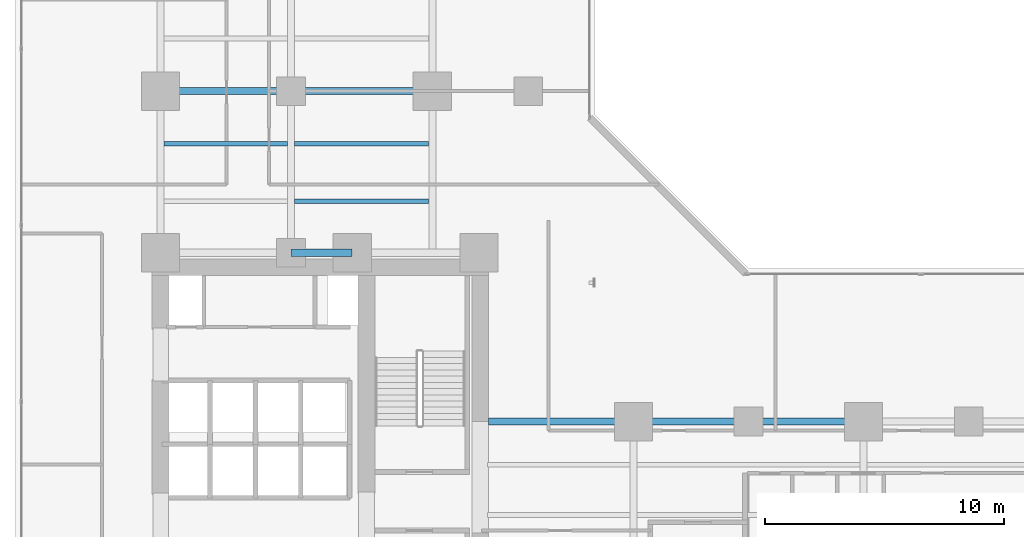
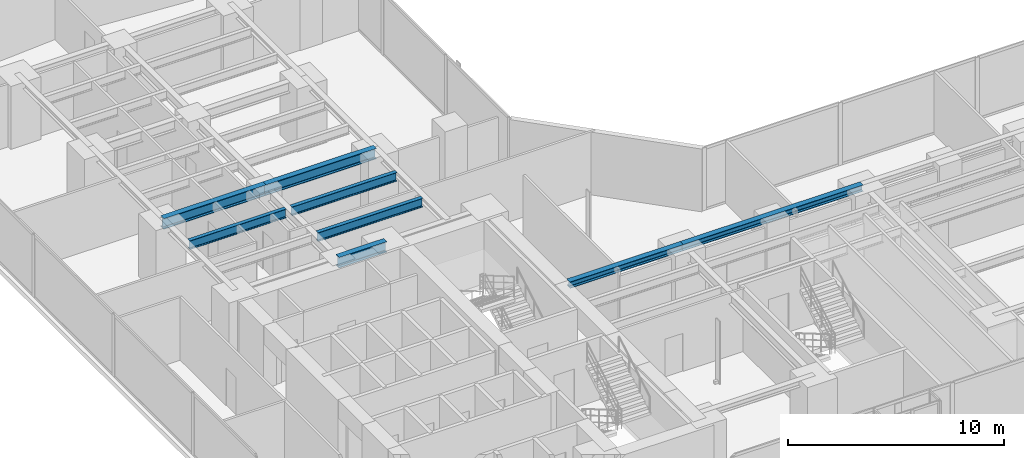
# One storey, part 7 of 27: 8 beams.
"""IFC4 building model written with IfcOpenShell, lengths in metres."""

import ifcopenshell
import ifcopenshell.guid

model = None  # the IFC model being written
_history = None  # IfcOwnerHistory: only IFC2X3 demands one
_inside = {}  # id of a spatial element -> (the spatial element, [elements in it])
_under = {}  # id of a project, library or spatial element -> (it, [spatial elements below it])
_declared = {}  # id of a project -> (the project, [libraries it declares])
_typed = {}  # id of a type object -> (the type object, [elements of that type])
_made_of = {}  # id of a material, layer set ... -> (it, [elements and type objects made of it])


def new_model(schema):
    """Start an empty IFC model of exactly this schema.

    Asked for "IFC4X3", IfcOpenShell would pick the latest addendum, in which some entities
    have other attributes; the version numbers below select the first issue.
    IFC2X3 requires an IfcOwnerHistory on every rooted entity: one is made here for all.
    """
    global model, _history
    if schema == "IFC4X3":
        model = ifcopenshell.file(schema_version=(4, 3, 0, 0))
    else:
        model = ifcopenshell.file(schema=schema)
    _inside.clear()
    _under.clear()
    _declared.clear()
    _typed.clear()
    _made_of.clear()
    _history = None
    if model.schema == "IFC2X3":
        org = make("IfcOrganization", Name="unknown")
        user = make(
            "IfcPersonAndOrganization",
            ThePerson=make("IfcPerson", FamilyName="unknown"),
            TheOrganization=org,
        )
        app = make(
            "IfcApplication",
            ApplicationDeveloper=org,
            Version="unknown",
            ApplicationFullName="unknown",
            ApplicationIdentifier="unknown",
        )
        _history = make(
            "IfcOwnerHistory",
            OwningUser=user,
            OwningApplication=app,
            ChangeAction="ADDED",
            CreationDate=0,
        )
    return model


def make(cls, **values):
    """One entity of the class cls with the attributes given. An attribute that is None is left unset."""
    return model.create_entity(
        cls, **{name: value for name, value in values.items() if value is not None}
    )


def rooted(cls, **values):
    """An entity with a GlobalId (a new one), such as an element, a storey or a relation."""
    return make(cls, GlobalId=ifcopenshell.guid.new(), OwnerHistory=_history, **values)


def si_unit(unit_type, name, prefix=None):
    """IfcSIUnit, for example si_unit("LENGTHUNIT", "METRE", prefix="MILLI")."""
    return make("IfcSIUnit", UnitType=unit_type, Prefix=prefix, Name=name)


def assignment(units):
    """IfcUnitAssignment: the units of a project."""
    return None if units is None else make("IfcUnitAssignment", Units=units)


def point(xyz):
    """IfcCartesianPoint."""
    return None if xyz is None else make("IfcCartesianPoint", Coordinates=xyz)


def direction(xyz):
    """IfcDirection."""
    return None if xyz is None else make("IfcDirection", DirectionRatios=xyz)


def frame(location, z_axis=None, x_axis=None):
    """IfcAxis2Placement3D, a coordinate frame: its origin and axes. An axis left out is left unset."""
    return make(
        "IfcAxis2Placement3D",
        Location=point(location),
        Axis=direction(z_axis),
        RefDirection=direction(x_axis),
    )


def frame_2d(location, x_axis=None):
    """IfcAxis2Placement2D, a coordinate frame in the plane: its origin and x axis."""
    return make(
        "IfcAxis2Placement2D", Location=point(location), RefDirection=direction(x_axis)
    )


def origin():
    """The frame at (0, 0, 0) with its axes left unset."""
    return frame((0.0, 0.0, 0.0))


def origin_2d():
    """The frame at (0, 0) in the plane with its x axis left unset."""
    return frame_2d((0.0, 0.0))


def place(relative_to, where):
    """IfcLocalPlacement: puts the frame where relative to a parent placement (None: the world)."""
    return make(
        "IfcLocalPlacement", PlacementRelTo=relative_to, RelativePlacement=where
    )


def context(
    kind, dimensions, precision=None, world=None, true_north=None, identifier=None
):
    """IfcGeometricRepresentationContext, for example the 3D "Model" context."""
    return make(
        "IfcGeometricRepresentationContext",
        ContextIdentifier=identifier,
        ContextType=kind,
        CoordinateSpaceDimension=dimensions,
        Precision=precision,
        WorldCoordinateSystem=world,
        TrueNorth=true_north,
    )


def subcontext(parent, identifier, kind, view, scale=None):
    """IfcGeometricRepresentationSubContext, for example "Body" below "Model"."""
    return make(
        "IfcGeometricRepresentationSubContext",
        ContextIdentifier=identifier,
        ContextType=kind,
        ParentContext=parent,
        TargetScale=scale,
        TargetView=view,
    )


def project(units=None, contexts=None):
    """IfcProject with its units and contexts."""
    return rooted(
        "IfcProject",
        Name="project",
        RepresentationContexts=contexts,
        UnitsInContext=assignment(units),
    )


def spatial(cls, under=None, at=None, **own):
    """A site, building, storey or space (cls), placed at a placement, below another one or the project."""
    s = rooted(cls, ObjectPlacement=at, **own)
    if under is not None:
        _under.setdefault(under.id(), (under, []))[1].append(s)
    return s


def profile(cls, at=None, kind="AREA", **sizes):
    """A parametric profile (cls). Its sizes go by their IFC names, for example OverallWidth=200.0."""
    return make(cls, ProfileType=kind, Position=at, **sizes)


def i_section(**sizes):
    """IfcIShapeProfileDef."""
    return profile("IfcIShapeProfileDef", **sizes)


def extrude(swept, where, along, depth):
    """IfcExtrudedAreaSolid: the profile swept, set in the frame where, extruded along a direction by depth."""
    return make(
        "IfcExtrudedAreaSolid",
        SweptArea=swept,
        Position=where,
        ExtrudedDirection=direction(along),
        Depth=depth,
    )


def shape(context_of_items, identifier, shape_type, items):
    """IfcShapeRepresentation: the items that make up one representation, for example the "Body"."""
    return make(
        "IfcShapeRepresentation",
        ContextOfItems=context_of_items,
        RepresentationIdentifier=identifier,
        RepresentationType=shape_type,
        Items=items,
    )


def material(Name=None, Category=None):
    """IfcMaterial."""
    return make("IfcMaterial", Name=Name, Category=Category)


def material_profile(
    of_material, cross_section, Name=None, Category=None, Priority=None
):
    """IfcMaterialProfile: a cross section and its material."""
    return make(
        "IfcMaterialProfile",
        Name=Name,
        Material=of_material,
        Profile=cross_section,
        Priority=Priority,
        Category=Category,
    )


def profile_set(profiles, Name=None, composite=None):
    """IfcMaterialProfileSet."""
    return make(
        "IfcMaterialProfileSet",
        Name=Name,
        MaterialProfiles=profiles,
        CompositeProfile=composite,
    )


def made_of(thing, what):
    """Note that an element or type object is made of a material, layer set ...; save() writes the relation."""
    if what is not None:
        _made_of.setdefault(what.id(), (what, []))[1].append(thing)
    return thing


def type_object(cls, material=None, **own):
    """A type object (cls), such as IfcWallType, which elements share."""
    return made_of(rooted(cls, **own), material)


def element(
    cls,
    number,
    at=None,
    inside=None,
    cuts=None,
    type_object=None,
    material=None,
    context=None,
    identifier="Body",
    shape_type=None,
    held_by="IfcProductDefinitionShape",
    body=None,
    shapes=None,
    **own,
):
    """One element of the class cls, such as IfcWall. Its Tag is "e" and its number.

    at: its placement. inside: the storey or other place that contains it. cuts: it is an
    opening in that element (IfcRelVoidsElement). A single representation is given by context,
    identifier, shape_type and body (its items); several are given by shapes. held_by: the class
    of the entity that holds the representations. save() writes the other relations.
    """
    e = rooted(cls, Tag="e%d" % number, ObjectPlacement=at, **own)
    if body is not None:
        shapes = [shape(context, identifier, shape_type, body)]
    if shapes is not None:
        e.Representation = make(held_by, Representations=shapes)
    if inside is not None:
        _inside.setdefault(inside.id(), (inside, []))[1].append(e)
    if cuts is not None:
        rooted(
            "IfcRelVoidsElement", RelatingBuildingElement=cuts, RelatedOpeningElement=e
        )
    if type_object is not None:
        _typed.setdefault(type_object.id(), (type_object, []))[1].append(e)
    return made_of(e, material)


def aggregate(whole, parts):
    """IfcRelAggregates: a whole, such as a stair, and the parts it consists of."""
    return rooted("IfcRelAggregates", RelatingObject=whole, RelatedObjects=parts)


def save(model, path):
    """Write the relations noted so far, then the file.

    IfcRelAggregates (storeys below a building ...), IfcRelContainedInSpatialStructure (elements
    in a storey), IfcRelDefinesByType, IfcRelAssociatesMaterial and IfcRelDeclares: one each for
    every whole, place, type object, material and project.
    """
    for whole, parts in _under.values():
        aggregate(whole, parts)
    for where, things in _inside.values():
        rooted(
            "IfcRelContainedInSpatialStructure",
            RelatedElements=things,
            RelatingStructure=where,
        )
    for kind, things in _typed.values():
        rooted("IfcRelDefinesByType", RelatedObjects=things, RelatingType=kind)
    for what, things in _made_of.values():
        rooted("IfcRelAssociatesMaterial", RelatedObjects=things, RelatingMaterial=what)
    for by, libraries in _declared.values():
        rooted("IfcRelDeclares", RelatingContext=by, RelatedDefinitions=libraries)
    model.write(path)


model = new_model("IFC4")

# Units and contexts
model_context = context("Model", 3, precision=1e-05, world=origin(), true_north=direction((0.0, 1.0)))
body_context = subcontext(model_context, "Body", "Model", "MODEL_VIEW")
ifc_project = project(units=[si_unit("LENGTHUNIT", "METRE"), si_unit("AREAUNIT", "SQUARE_METRE"), si_unit("VOLUMEUNIT", "CUBIC_METRE"), si_unit("PLANEANGLEUNIT", "RADIAN"), si_unit("MASSUNIT", "GRAM", prefix="KILO")], contexts=[model_context])

# Site, building, storey
site_placement = place(None, origin())
site = spatial("IfcSite", under=ifc_project, at=site_placement, CompositionType="ELEMENT")
building_placement = place(site_placement, origin())
building = spatial("IfcBuilding", under=site, at=building_placement, Name="Kolvaren Waterfront Exchange", CompositionType="ELEMENT")
storey_placement = place(building_placement, frame((0.0, 0.0, 33.39990234375)))
storey = spatial("IfcBuildingStorey", under=building, at=storey_placement, Name="L08", CompositionType="ELEMENT", Elevation=33.39990234375)

# Beams
ifc_material = material(Name="Steel S355", Category="steel")
ifc_material_profile_1 = material_profile(ifc_material, i_section(OverallWidth=0.300048828125, OverallDepth=0.360107421875, WebThickness=0.012451171875, FlangeThickness=0.0224609375, FilletRadius=0.027099609375, at=origin_2d()), Name="HEB360")
ifc_profile_set_1 = profile_set([ifc_material_profile_1], Name="Steel S355")
beam_type_1 = type_object("IfcBeamType", Name="STR-BM-HEB360", PredefinedType="SPANDREL", material=ifc_profile_set_1)
beam_1_placement = place(storey_placement, frame((21.14990234375, 17.39990234375, 3.360107421875), z_axis=(1.0, 0.0, 0.0), x_axis=(0.0, 1.0, 0.0)))
element("IfcBeam", 1, at=beam_1_placement, inside=storey, type_object=beam_type_1, Name="L08 east-arm spandrel N1", PredefinedType="SPANDREL", context=body_context, shape_type="SweptSolid", body=[
    extrude(i_section(OverallWidth=0.300048828125, OverallDepth=0.360107421875, WebThickness=0.012451171875, FlangeThickness=0.0224609375, FilletRadius=0.027099609375, at=origin_2d()), origin(), (0.0, 0.0, 1.0), 6.050048828125),
])
beam_2_placement = place(storey_placement, frame((27.199951171875, 17.39990234375, 3.360107421875), z_axis=(1.0, 0.0, 0.0), x_axis=(0.0, 1.0, 0.0)))
element("IfcBeam", 2, at=beam_2_placement, inside=storey, type_object=beam_type_1, Name="L08 east-arm spandrel N2", PredefinedType="SPANDREL", context=body_context, shape_type="SweptSolid", body=[
    extrude(i_section(OverallWidth=0.300048828125, OverallDepth=0.360107421875, WebThickness=0.012451171875, FlangeThickness=0.0224609375, FilletRadius=0.027099609375, at=origin_2d()), origin(), (0.0, 0.0, 1.0), 9.60009765625),
])
ifc_material_profile_2 = material_profile(ifc_material, i_section(OverallWidth=0.300048828125, OverallDepth=0.60009765625, WebThickness=0.015380859375, FlangeThickness=0.030029296875, FilletRadius=0.027099609375, at=origin_2d()), Name="HEB600")
ifc_profile_set_2 = profile_set([ifc_material_profile_2], Name="Steel S355")
beam_type_2 = type_object("IfcBeamType", Name="STR-BM-HEB600", PredefinedType="BEAM", material=ifc_profile_set_2)
beam_3_placement = place(storey_placement, frame((12.89990234375, 24.449951171875, 3.239990234375), z_axis=(1.0, 0.0, 0.0), x_axis=(0.0, 1.0, 0.0)))
element("IfcBeam", 3, at=beam_3_placement, inside=storey, type_object=beam_type_2, Name="L08 north-arm girder 1B", PredefinedType="BEAM", context=body_context, shape_type="SweptSolid", body=[
    extrude(i_section(OverallWidth=0.300048828125, OverallDepth=0.60009765625, WebThickness=0.015380859375, FlangeThickness=0.030029296875, FilletRadius=0.027099609375, at=origin_2d()), origin(), (0.0, 0.0, 1.0), 2.550048828125),
])
beam_4_placement = place(storey_placement, frame((7.449951171875, 31.199951171875, 3.239990234375), z_axis=(1.0, 0.0, 0.0), x_axis=(0.0, 1.0, 0.0)))
element("IfcBeam", 4, at=beam_4_placement, inside=storey, type_object=beam_type_2, Name="L08 north-arm girder 2A", PredefinedType="BEAM", context=body_context, shape_type="SweptSolid", body=[
    extrude(i_section(OverallWidth=0.300048828125, OverallDepth=0.60009765625, WebThickness=0.015380859375, FlangeThickness=0.030029296875, FilletRadius=0.027099609375, at=origin_2d()), origin(), (0.0, 0.0, 1.0), 5.449951171875),
])
beam_5_placement = place(storey_placement, frame((12.89990234375, 31.199951171875, 3.239990234375), z_axis=(1.0, 0.0, 0.0), x_axis=(0.0, 1.0, 0.0)))
element("IfcBeam", 5, at=beam_5_placement, inside=storey, type_object=beam_type_2, Name="L08 north-arm girder 2B", PredefinedType="BEAM", context=body_context, shape_type="SweptSolid", body=[
    extrude(i_section(OverallWidth=0.300048828125, OverallDepth=0.60009765625, WebThickness=0.015380859375, FlangeThickness=0.030029296875, FilletRadius=0.027099609375, at=origin_2d()), origin(), (0.0, 0.0, 1.0), 5.900146484375),
])
ifc_material_profile_3 = material_profile(ifc_material, i_section(OverallWidth=0.199951171875, OverallDepth=0.5, WebThickness=0.01025390625, FlangeThickness=0.01611328125, FilletRadius=0.02099609375, at=origin_2d()), Name="IPE500")
ifc_profile_set_3 = profile_set([ifc_material_profile_3], Name="Steel S355")
beam_type_3 = type_object("IfcBeamType", Name="STR-BM-IPE500", PredefinedType="JOIST", material=ifc_profile_set_3)
beam_6_placement = place(storey_placement, frame((13.052001953125, 26.60009765625, 3.2900390625), z_axis=(1.0, 0.0, 0.0), x_axis=(0.0, 1.0, 0.0)))
element("IfcBeam", 6, at=beam_6_placement, inside=storey, type_object=beam_type_3, Name="L08 north-arm composite joist 1B", PredefinedType="JOIST", context=body_context, shape_type="SweptSolid", body=[
    extrude(i_section(OverallWidth=0.199951171875, OverallDepth=0.5, WebThickness=0.01025390625, FlangeThickness=0.01611328125, FilletRadius=0.02099609375, at=origin_2d()), origin(), (0.0, 0.0, 1.0), 5.595947265625),
])
beam_7_placement = place(storey_placement, frame((7.60205078125, 29.0, 3.2900390625), z_axis=(1.0, 0.0, 0.0), x_axis=(0.0, 1.0, 0.0)))
element("IfcBeam", 7, at=beam_7_placement, inside=storey, type_object=beam_type_3, Name="L08 north-arm composite joist 2A", PredefinedType="JOIST", context=body_context, shape_type="SweptSolid", body=[
    extrude(i_section(OverallWidth=0.199951171875, OverallDepth=0.5, WebThickness=0.01025390625, FlangeThickness=0.01611328125, FilletRadius=0.02099609375, at=origin_2d()), origin(), (0.0, 0.0, 1.0), 5.14599609375),
])
beam_8_placement = place(storey_placement, frame((13.052001953125, 29.0, 3.2900390625), z_axis=(1.0, 0.0, 0.0), x_axis=(0.0, 1.0, 0.0)))
element("IfcBeam", 8, at=beam_8_placement, inside=storey, type_object=beam_type_3, Name="L08 north-arm composite joist 2B", PredefinedType="JOIST", context=body_context, shape_type="SweptSolid", body=[
    extrude(i_section(OverallWidth=0.199951171875, OverallDepth=0.5, WebThickness=0.01025390625, FlangeThickness=0.01611328125, FilletRadius=0.02099609375, at=origin_2d()), origin(), (0.0, 0.0, 1.0), 5.595947265625),
])

save(model, "model.ifc")
